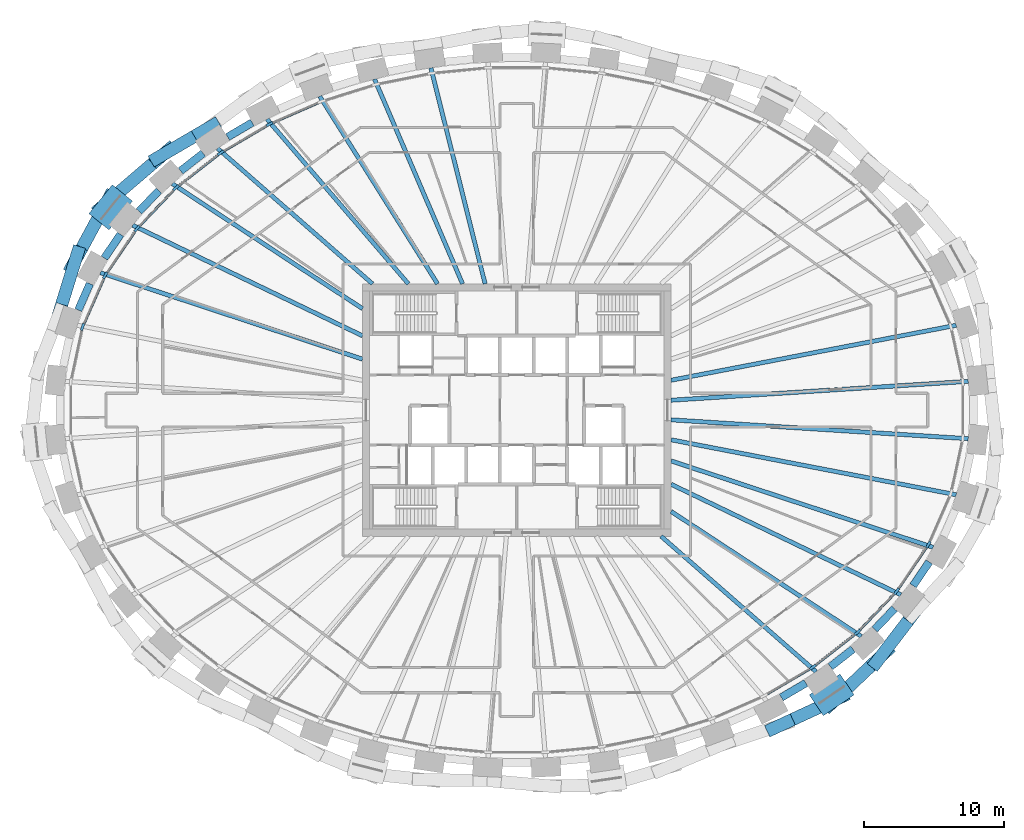
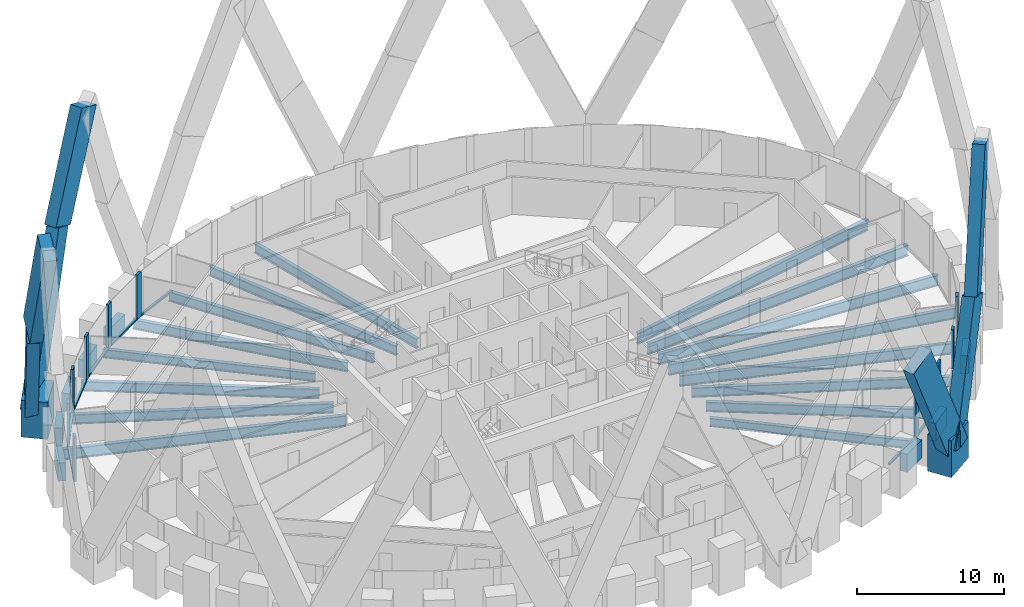
# One storey, part 3 of 14: 29 members, 25 beams, 1 element without a shape of its own.
"""IFC4 building model written with IfcOpenShell, lengths in metres."""

from ifc_helpers import new_model, si_unit, direction, frame, origin, origin_2d, place, context, subcontext, project, spatial, rectangle, i_section, extrude, source, transform, mapped, material, material_profile, profile_set, type_object, element, aggregate, save


model = new_model("IFC4")

# Units and contexts
model_context = context("Model", 3, precision=1e-05, world=origin(), true_north=direction((0.0, 1.0)))
body_context = subcontext(model_context, "Body", "Model", "MODEL_VIEW")
ifc_project = project(units=[si_unit("LENGTHUNIT", "METRE"), si_unit("AREAUNIT", "SQUARE_METRE"), si_unit("VOLUMEUNIT", "CUBIC_METRE"), si_unit("PLANEANGLEUNIT", "RADIAN"), si_unit("MASSUNIT", "GRAM", prefix="KILO")], contexts=[model_context])

# Site, building, storey
site_placement = place(None, origin())
site = spatial("IfcSite", under=ifc_project, at=site_placement, CompositionType="ELEMENT")
building_placement = place(site_placement, origin())
building = spatial("IfcBuilding", under=site, at=building_placement, Name="Embergate Tower", CompositionType="ELEMENT")
storey_placement = place(building_placement, frame((0.0, 0.0, 257.800048828125)))
storey = spatial("IfcBuildingStorey", under=building, at=storey_placement, Name="L59", CompositionType="ELEMENT", Elevation=257.800048828125)

# Beams
ifc_material_1 = material(Name="Concrete C60", Category="concrete")
ifc_material_profile_1 = material_profile(ifc_material_1, rectangle(XDim=0.550048828125, YDim=1.5, at=origin_2d()), Name="RC 550x1500")
ifc_profile_set_1 = profile_set([ifc_material_profile_1], Name="Concrete C60")
beam_type_1 = type_object("IfcBeamType", Name="Spandrel beam RC 550x1500 C60", PredefinedType="BEAM", material=ifc_profile_set_1)
shared_shape_1 = source(origin(), body_context, "Body", "SweptSolid", [
    extrude(rectangle(XDim=0.550048828125, YDim=1.5, at=origin_2d()), origin(), (0.0, 0.0, 1.0), 2.054443359375),
])
beam_1_placement = place(storey_placement, frame((-30.43896484375, 9.008056640625, 0.0), z_axis=(-0.402021652571, -0.915630160526, 0.0), x_axis=(0.915630160526, -0.402021652571, 0.0)))
element("IfcBeam", 1, at=beam_1_placement, inside=storey, type_object=beam_type_1, Name="SPN-L59-19", PredefinedType="BEAM", context=body_context, shape_type="MappedRepresentation", body=[
    mapped(shared_shape_1, transform((0.0, 0.0, 0.0))),
])
shared_shape_2 = source(origin(), body_context, "Body", "SweptSolid", [
    extrude(rectangle(XDim=0.550048828125, YDim=1.5, at=origin_2d()), origin(), (0.0, 0.0, 1.0), 2.046630859375),
])
for number, where, z_axis, x_axis, name in (
    (2, (-28.25390625, 12.528076171875, 0.0), (-0.562466632366, -0.826819984927, 0.0), (0.826819984927, -0.562466632366, 0.0), "SPN-L59-18"),
    (3, (28.25390625, -12.528076171875, 0.0), (0.562466632366, 0.826819984927, 0.0), (-0.826819984927, 0.562466632366, 0.0), "SPN-L59-40"),
):
    element("IfcBeam", number, at=place(storey_placement, frame(where, z_axis=z_axis, x_axis=x_axis)), inside=storey, type_object=beam_type_1, Name=name, PredefinedType="BEAM", context=body_context, shape_type="MappedRepresentation", body=[
        mapped(shared_shape_2, transform((0.0, 0.0, 0.0))),
    ])
shared_shape_3 = source(origin(), body_context, "Body", "SweptSolid", [
    extrude(rectangle(XDim=0.550048828125, YDim=1.5, at=origin_2d()), origin(), (0.0, 0.0, 1.0), 2.042724609375),
])
for number, where, z_axis, x_axis, name in (
    (4, (-25.52490234375, 15.638916015625, 0.0), (-0.690299494905, -0.723523743448, 0.0), (0.723523743448, -0.690299494905, 0.0), "SPN-L59-17"),
    (5, (25.52490234375, -15.638916015625, 0.0), (0.690299494905, 0.723523743448, 0.0), (-0.723523743448, 0.690299494905, 0.0), "SPN-L59-39"),
):
    element("IfcBeam", number, at=place(storey_placement, frame(where, z_axis=z_axis, x_axis=x_axis)), inside=storey, type_object=beam_type_1, Name=name, PredefinedType="BEAM", context=body_context, shape_type="MappedRepresentation", body=[
        mapped(shared_shape_3, transform((0.0, 0.0, 0.0))),
    ])
shared_shape_4 = source(origin(), body_context, "Body", "SweptSolid", [
    extrude(rectangle(XDim=0.550048828125, YDim=1.5, at=origin_2d()), origin(), (0.0, 0.0, 1.0), 2.038330078125),
])
for number, where, z_axis, x_axis, name in (
    (6, (-22.362060546875, 18.302978515625, 0.0), (-0.78838379352, -0.615183707615, 0.0), (0.615183707615, -0.78838379352, 0.0), "SPN-L59-16"),
    (7, (22.362060546875, -18.302978515625, 0.0), (0.78838379352, 0.615183707615, 0.0), (-0.615183707615, 0.78838379352, 0.0), "SPN-L59-38"),
):
    element("IfcBeam", number, at=place(storey_placement, frame(where, z_axis=z_axis, x_axis=x_axis)), inside=storey, type_object=beam_type_1, Name=name, PredefinedType="BEAM", context=body_context, shape_type="MappedRepresentation", body=[
        mapped(shared_shape_4, transform((0.0, 0.0, 0.0))),
    ])
shared_shape_5 = source(origin(), body_context, "Body", "SweptSolid", [
    extrude(rectangle(XDim=0.550048828125, YDim=1.5, at=origin_2d()), origin(), (0.0, 0.0, 1.0), 2.0322265625),
])
for number, where, z_axis, x_axis, name in (
    (8, (-18.862060546875, 20.4970703125, 0.0), (-0.862048455152, -0.50682586849, 0.0), (0.50682586849, -0.862048455152, 0.0), "SPN-L59-15"),
    (9, (18.862060546875, -20.4970703125, 0.0), (0.862048455152, 0.50682586849, 0.0), (-0.50682586849, 0.862048455152, 0.0), "SPN-L59-37"),
):
    element("IfcBeam", number, at=place(storey_placement, frame(where, z_axis=z_axis, x_axis=x_axis)), inside=storey, type_object=beam_type_1, Name=name, PredefinedType="BEAM", context=body_context, shape_type="MappedRepresentation", body=[
        mapped(shared_shape_5, transform((0.0, 0.0, 0.0))),
    ])
ifc_material_2 = material(Name="Steel Q355B", Category="steel")
ifc_material_profile_2 = material_profile(ifc_material_2, i_section(OverallWidth=0.300048828125, OverallDepth=0.89990234375, WebThickness=0.01611328125, FlangeThickness=0.028076171875, FilletRadius=0.028076171875, at=origin_2d()), Name="HN 900x300x16x28")
ifc_profile_set_2 = profile_set([ifc_material_profile_2], Name="Steel Q355 grade B")
beam_type_2 = type_object("IfcBeamType", Name="Radial girder HN 900x300x16x28", PredefinedType="BEAM", material=ifc_profile_set_2)
shared_shape_6 = source(origin(), body_context, "Body", "SweptSolid", [
    extrude(i_section(OverallWidth=0.300048828125, OverallDepth=0.89990234375, WebThickness=0.01611328125, FlangeThickness=0.028076171875, FilletRadius=0.028076171875, at=origin_2d()), origin(), (0.0, 0.0, 1.0), 21.233642578125),
])
for number, where, z_axis, x_axis, name in (
    (10, (32.19091796875, 2.044921875, -0.650146484375), (-0.99798898664, -0.063387558277, 0.0), (0.063387558277, -0.99798898664, 0.0), "GIR-L59-00"),
    (11, (32.19091796875, -2.044921875, -0.650146484375), (-0.99798898664, 0.063387558277, 0.0), (-0.063387558277, -0.99798898664, 0.0), "GIR-L59-43"),
):
    element("IfcBeam", number, at=place(storey_placement, frame(where, z_axis=z_axis, x_axis=x_axis)), inside=storey, type_object=beam_type_2, Name=name, PredefinedType="BEAM", context=body_context, shape_type="MappedRepresentation", body=[
        mapped(shared_shape_6, transform((0.0, 0.0, 0.0))),
    ])
shared_shape_7 = source(origin(), body_context, "Body", "SweptSolid", [
    extrude(i_section(OverallWidth=0.300048828125, OverallDepth=0.89990234375, WebThickness=0.01611328125, FlangeThickness=0.028076171875, FilletRadius=0.028076171875, at=origin_2d()), origin(), (0.0, 0.0, 1.0), 20.704833984375),
])
for number, where, z_axis, x_axis, name in (
    (12, (31.330078125, 6.0439453125, -0.650146484375), (-0.981896609236, -0.189417656965, 0.0), (0.189417656965, -0.981896609236, 0.0), "GIR-L59-01"),
    (13, (31.330078125, -6.0439453125, -0.650146484375), (-0.981896609236, 0.189417656965, 0.0), (-0.189417656965, -0.981896609236, 0.0), "GIR-L59-42"),
):
    element("IfcBeam", number, at=place(storey_placement, frame(where, z_axis=z_axis, x_axis=x_axis)), inside=storey, type_object=beam_type_2, Name=name, PredefinedType="BEAM", context=body_context, shape_type="MappedRepresentation", body=[
        mapped(shared_shape_7, transform((0.0, 0.0, 0.0))),
    ])
shared_shape_8 = source(origin(), body_context, "Body", "SweptSolid", [
    extrude(i_section(OverallWidth=0.300048828125, OverallDepth=0.89990234375, WebThickness=0.01611328125, FlangeThickness=0.028076171875, FilletRadius=0.028076171875, at=origin_2d()), origin(), (0.0, 0.0, 1.0), 19.67578125),
])
for number, where, z_axis, x_axis, name in (
    (14, (-29.68603515625, 9.7900390625, -0.650146484375), (0.949693396369, -0.313181182215, 0.0), (0.313181182215, 0.949693396369, 0.0), "GIR-L59-19"),
    (15, (29.68603515625, -9.7900390625, -0.650146484375), (-0.949693396369, 0.313181182215, 0.0), (-0.313181182215, -0.949693396369, 0.0), "GIR-L59-41"),
):
    element("IfcBeam", number, at=place(storey_placement, frame(where, z_axis=z_axis, x_axis=x_axis)), inside=storey, type_object=beam_type_2, Name=name, PredefinedType="BEAM", context=body_context, shape_type="MappedRepresentation", body=[
        mapped(shared_shape_8, transform((0.0, 0.0, 0.0))),
    ])
ifc_material_profile_3 = material_profile(ifc_material_2, i_section(OverallWidth=0.300048828125, OverallDepth=0.800048828125, WebThickness=0.013916015625, FlangeThickness=0.02587890625, FilletRadius=0.028076171875, at=origin_2d()), Name="HN 800x300x14x26")
ifc_profile_set_3 = profile_set([ifc_material_profile_3], Name="Steel Q355 grade B")
beam_type_3 = type_object("IfcBeamType", Name="Radial girder HN 800x300x14x26", PredefinedType="BEAM", material=ifc_profile_set_3)
shared_shape_9 = source(origin(), body_context, "Body", "SweptSolid", [
    extrude(i_section(OverallWidth=0.300048828125, OverallDepth=0.800048828125, WebThickness=0.013916015625, FlangeThickness=0.02587890625, FilletRadius=0.028076171875, at=origin_2d()), origin(), (0.0, 0.0, 1.0), 18.182373046875),
])
for number, where, z_axis, x_axis, name in (
    (16, (-27.385009765625, 13.174072265625, -0.60009765625), (0.901152068073, -0.433503114415, 0.0), (0.433503114415, 0.901152068073, 0.0), "GIR-L59-18"),
    (17, (27.385009765625, -13.174072265625, -0.60009765625), (-0.901152068073, 0.433503114415, 0.0), (-0.433503114415, -0.901152068073, 0.0), "GIR-L59-40"),
):
    element("IfcBeam", number, at=place(storey_placement, frame(where, z_axis=z_axis, x_axis=x_axis)), inside=storey, type_object=beam_type_3, Name=name, PredefinedType="BEAM", context=body_context, shape_type="MappedRepresentation", body=[
        mapped(shared_shape_9, transform((0.0, 0.0, 0.0))),
    ])
shared_shape_10 = source(origin(), body_context, "Body", "SweptSolid", [
    extrude(i_section(OverallWidth=0.300048828125, OverallDepth=0.800048828125, WebThickness=0.013916015625, FlangeThickness=0.02587890625, FilletRadius=0.028076171875, at=origin_2d()), origin(), (0.0, 0.0, 1.0), 16.224853515625),
])
for number, where, z_axis, x_axis, name in (
    (18, (-24.56005859375, 16.135986328125, -0.60009765625), (0.83576092079, -0.549093510506, 0.0), (0.549093510506, 0.83576092079, 0.0), "GIR-L59-17"),
    (19, (24.56005859375, -16.135986328125, -0.60009765625), (-0.83576092079, 0.549093510506, 0.0), (-0.549093510506, -0.83576092079, 0.0), "GIR-L59-39"),
):
    element("IfcBeam", number, at=place(storey_placement, frame(where, z_axis=z_axis, x_axis=x_axis)), inside=storey, type_object=beam_type_3, Name=name, PredefinedType="BEAM", context=body_context, shape_type="MappedRepresentation", body=[
        mapped(shared_shape_10, transform((0.0, 0.0, 0.0))),
    ])
ifc_material_profile_4 = material_profile(ifc_material_2, i_section(OverallWidth=0.300048828125, OverallDepth=0.699951171875, WebThickness=0.012939453125, FlangeThickness=0.02392578125, FilletRadius=0.01806640625, at=origin_2d()), Name="HN 700x300x13x24")
ifc_profile_set_4 = profile_set([ifc_material_profile_4], Name="Steel Q355 grade B")
beam_type_4 = type_object("IfcBeamType", Name="Radial girder HN 700x300x13x24", PredefinedType="BEAM", material=ifc_profile_set_4)
shared_shape_11 = source(origin(), body_context, "Body", "SweptSolid", [
    extrude(i_section(OverallWidth=0.300048828125, OverallDepth=0.699951171875, WebThickness=0.012939453125, FlangeThickness=0.02392578125, FilletRadius=0.01806640625, at=origin_2d()), origin(), (0.0, 0.0, 1.0), 14.66845703125),
])
for number, where, z_axis, x_axis, name in (
    (20, (-21.3330078125, 18.656005859375, -0.550048828125), (0.752770497305, -0.658283053395, 0.0), (0.658283053395, 0.752770497305, 0.0), "GIR-L59-16"),
    (21, (21.3330078125, -18.656005859375, -0.550048828125), (-0.752770497305, 0.658283053395, 0.0), (-0.658283053395, -0.752770497305, 0.0), "GIR-L59-38"),
):
    element("IfcBeam", number, at=place(storey_placement, frame(where, z_axis=z_axis, x_axis=x_axis)), inside=storey, type_object=beam_type_4, Name=name, PredefinedType="BEAM", context=body_context, shape_type="MappedRepresentation", body=[
        mapped(shared_shape_11, transform((0.0, 0.0, 0.0))),
    ])
shared_shape_12 = source(origin(), body_context, "Body", "SweptSolid", [
    extrude(i_section(OverallWidth=0.300048828125, OverallDepth=0.800048828125, WebThickness=0.013916015625, FlangeThickness=0.02587890625, FilletRadius=0.028076171875, at=origin_2d()), origin(), (0.0, 0.0, 1.0), 15.462890625),
])
beam_2_placement = place(storey_placement, frame((-17.802978515625, 20.73095703125, -0.60009765625), z_axis=(0.651494533004, -0.75865332891, 0.0), x_axis=(0.75865332891, 0.651494533004, 0.0)))
element("IfcBeam", 22, at=beam_2_placement, inside=storey, type_object=beam_type_3, Name="GIR-L59-15", PredefinedType="BEAM", context=body_context, shape_type="MappedRepresentation", body=[
    mapped(shared_shape_12, transform((0.0, 0.0, 0.0))),
])
shared_shape_13 = source(origin(), body_context, "Body", "SweptSolid", [
    extrude(i_section(OverallWidth=0.300048828125, OverallDepth=0.800048828125, WebThickness=0.013916015625, FlangeThickness=0.02587890625, FilletRadius=0.028076171875, at=origin_2d()), origin(), (0.0, 0.0, 1.0), 15.791015625),
])
beam_3_placement = place(storey_placement, frame((-14.051025390625, 22.3720703125, -0.60009765625), z_axis=(0.531882110567, -0.846818410557, 0.0), x_axis=(0.846818410557, 0.531882110567, 0.0)))
element("IfcBeam", 23, at=beam_3_placement, inside=storey, type_object=beam_type_3, Name="GIR-L59-14", PredefinedType="BEAM", context=body_context, shape_type="MappedRepresentation", body=[
    mapped(shared_shape_13, transform((0.0, 0.0, 0.0))),
])
shared_shape_14 = source(origin(), body_context, "Body", "SweptSolid", [
    extrude(i_section(OverallWidth=0.300048828125, OverallDepth=0.800048828125, WebThickness=0.013916015625, FlangeThickness=0.02587890625, FilletRadius=0.028076171875, at=origin_2d()), origin(), (0.0, 0.0, 1.0), 15.881103515625),
])
beam_4_placement = place(storey_placement, frame((-10.14111328125, 23.590087890625, -0.60009765625), z_axis=(0.394946920714, -0.918703940243, 0.0), x_axis=(0.918703940243, 0.394946920714, 0.0)))
element("IfcBeam", 24, at=beam_4_placement, inside=storey, type_object=beam_type_3, Name="GIR-L59-13", PredefinedType="BEAM", context=body_context, shape_type="MappedRepresentation", body=[
    mapped(shared_shape_14, transform((0.0, 0.0, 0.0))),
])
shared_shape_15 = source(origin(), body_context, "Body", "SweptSolid", [
    extrude(i_section(OverallWidth=0.300048828125, OverallDepth=0.800048828125, WebThickness=0.013916015625, FlangeThickness=0.02587890625, FilletRadius=0.028076171875, at=origin_2d()), origin(), (0.0, 0.0, 1.0), 15.872802734375),
])
beam_5_placement = place(storey_placement, frame((-6.1240234375, 24.39501953125, -0.60009765625), z_axis=(0.243498181484, -0.969901353548, 0.0), x_axis=(0.969901353548, 0.243498181484, 0.0)))
element("IfcBeam", 25, at=beam_5_placement, inside=storey, type_object=beam_type_3, Name="GIR-L59-12", PredefinedType="BEAM", context=body_context, shape_type="MappedRepresentation", body=[
    mapped(shared_shape_15, transform((0.0, 0.0, 0.0))),
])

# Members
ifc_material_3 = material(Name="Concrete C70", Category="concrete")
ifc_material_profile_5 = material_profile(ifc_material_3, rectangle(XDim=1.85009765625, YDim=2.64990234375, at=origin_2d()), Name="RC 1850x2650")
ifc_profile_set_5 = profile_set([ifc_material_profile_5], Name="Concrete C70")
member_type_1 = type_object("IfcMemberType", Name="Lattice node block RC 1850x2650", PredefinedType="POST", material=ifc_profile_set_5)
shared_shape_16 = source(origin(), body_context, "Body", "SweptSolid", [
    extrude(rectangle(XDim=1.85009765625, YDim=2.64990234375, at=origin_2d()), origin(), (0.0, 0.0, 1.0), 3.050048828125),
])
member_1_placement = place(storey_placement, frame((-28.95703125, 14.451904296875, -1.525146484375), z_axis=(0.0, 0.0, 1.0), x_axis=(-0.775914301615, 0.630838328377, 0.0)))
element("IfcMember", 26, at=member_1_placement, inside=storey, type_object=member_type_1, Name="NOD-L59-18", PredefinedType="POST", context=body_context, shape_type="MappedRepresentation", body=[
    mapped(shared_shape_16, transform((0.0, 0.0, 0.0))),
])
ifc_material_profile_6 = material_profile(ifc_material_3, rectangle(XDim=1.800048828125, YDim=2.64990234375, at=origin_2d()), Name="RC 1800x2650")
ifc_profile_set_6 = profile_set([ifc_material_profile_6], Name="Concrete C70")
member_type_2 = type_object("IfcMemberType", Name="Lattice node block RC 1800x2650", PredefinedType="POST", material=ifc_profile_set_6)
shared_shape_17 = source(origin(), body_context, "Body", "SweptSolid", [
    extrude(rectangle(XDim=1.800048828125, YDim=2.64990234375, at=origin_2d()), origin(), (0.0, 0.0, 1.0), 3.050048828125),
])
member_2_placement = place(storey_placement, frame((22.4541015625, -20.31201171875, -1.525146484375), z_axis=(0.0, 0.0, 1.0), x_axis=(0.560393279442, -0.828226643109, 0.0)))
element("IfcMember", 27, at=member_2_placement, inside=storey, type_object=member_type_2, Name="NOD-L59-38", PredefinedType="POST", context=body_context, shape_type="MappedRepresentation", body=[
    mapped(shared_shape_17, transform((0.0, 0.0, 0.0))),
])
ifc_material_profile_7 = material_profile(ifc_material_3, rectangle(XDim=0.89990234375, YDim=2.199951171875, at=origin_2d()), Name="RC 900x2200")
ifc_profile_set_7 = profile_set([ifc_material_profile_7], Name="Concrete C70")
member_type_3 = type_object("IfcMemberType", Name="Lattice diagonal terracotta-faced RC 900x2200", PredefinedType="BRACE", material=ifc_profile_set_7)
shared_shape_18 = source(origin(), body_context, "Body", "SweptSolid", [
    extrude(rectangle(XDim=0.89990234375, YDim=2.199951171875, at=origin_2d()), origin(), (0.0, 0.0, 1.0), 12.8759765625),
])
member_3_placement = place(storey_placement, frame((-29.29296875, 14.72509765625, 0.0), z_axis=(0.317180546388, 0.271503362251, 0.908670691329), x_axis=(-0.650286330203, 0.759689205367, 0.0)))
element("IfcMember", 28, at=member_3_placement, inside=storey, type_object=member_type_3, Name="BRC-L59-18-16-S00", PredefinedType="BRACE", context=body_context, shape_type="MappedRepresentation", body=[
    mapped(shared_shape_18, transform((0.0, 0.0, 0.0))),
])
shared_shape_19 = source(origin(), body_context, "Body", "SweptSolid", [
    extrude(rectangle(XDim=0.89990234375, YDim=2.199951171875, at=origin_2d()), origin(), (0.0, 0.0, 1.0), 8.580078125),
])
member_4_placement = place(storey_placement, frame((-25.208984375, 18.220947265625, 11.699951171875), z_axis=(0.359886379414, 0.20990526731, 0.909077319411), x_axis=(-0.503820067998, 0.863808624107, 0.0)))
element("IfcMember", 29, at=member_4_placement, inside=storey, type_object=member_type_3, Name="BRC-L59-18-16-S01", PredefinedType="BRACE", context=body_context, shape_type="MappedRepresentation", body=[
    mapped(shared_shape_19, transform((0.0, 0.0, 0.0))),
])
shared_shape_20 = source(origin(), body_context, "Body", "SweptSolid", [
    extrude(rectangle(XDim=0.89990234375, YDim=2.199951171875, at=origin_2d()), origin(), (0.0, 0.0, 1.0), 10.772216796875),
])
member_5_placement = place(storey_placement, frame((-29.29296875, 14.72509765625, 0.0), z_axis=(-0.2021859327, -0.374024711058, 0.905111244067), x_axis=(0.87969626816, -0.475535987897, 0.0)))
element("IfcMember", 30, at=member_5_placement, inside=storey, type_object=member_type_3, Name="BRC-L59-18-20-S00", PredefinedType="BRACE", context=body_context, shape_type="MappedRepresentation", body=[
    mapped(shared_shape_20, transform((0.0, 0.0, 0.0))),
])
shared_shape_21 = source(origin(), body_context, "Body", "SweptSolid", [
    extrude(rectangle(XDim=0.89990234375, YDim=2.199951171875, at=origin_2d()), origin(), (0.0, 0.0, 1.0), 10.663818359375),
])
member_6_placement = place(storey_placement, frame((-31.470947265625, 10.696044921875, 9.75), z_axis=(-0.119372114003, -0.38700924724, 0.914316214966), x_axis=(0.955575885923, -0.294745188666, 0.0)))
element("IfcMember", 31, at=member_6_placement, inside=storey, type_object=member_type_3, Name="BRC-L59-18-20-S01", PredefinedType="BRACE", context=body_context, shape_type="MappedRepresentation", body=[
    mapped(shared_shape_21, transform((0.0, 0.0, 0.0))),
])
shared_shape_22 = source(origin(), body_context, "Body", "SweptSolid", [
    extrude(rectangle(XDim=0.89990234375, YDim=2.199951171875, at=origin_2d()), origin(), (0.0, 0.0, 1.0), 10.66796875),
])
member_7_placement = place(storey_placement, frame((22.69189453125, -20.6640625, 0.0), z_axis=(-0.368114652367, -0.17079512904, 0.913958766361), x_axis=(0.420877663523, -0.907117408249, 0.0)))
element("IfcMember", 32, at=member_7_placement, inside=storey, type_object=member_type_3, Name="BRC-L59-38-36-S00", PredefinedType="BRACE", context=body_context, shape_type="MappedRepresentation", body=[
    mapped(shared_shape_22, transform((0.0, 0.0, 0.0))),
])
shared_shape_23 = source(origin(), body_context, "Body", "SweptSolid", [
    extrude(rectangle(XDim=0.89990234375, YDim=2.199951171875, at=origin_2d()), origin(), (0.0, 0.0, 1.0), 10.73974609375),
])
member_8_placement = place(storey_placement, frame((22.69189453125, -20.6640625, 0.0), z_axis=(0.304388092824, 0.288384417144, 0.907844874907), x_axis=(-0.687765700276, 0.72593273898, 0.0)))
element("IfcMember", 33, at=member_8_placement, inside=storey, type_object=member_type_3, Name="BRC-L59-38-40-S00", PredefinedType="BRACE", context=body_context, shape_type="MappedRepresentation", body=[
    mapped(shared_shape_23, transform((0.0, 0.0, 0.0))),
])
shared_shape_24 = source(origin(), body_context, "Body", "SweptSolid", [
    extrude(rectangle(XDim=0.89990234375, YDim=2.199951171875, at=origin_2d()), origin(), (0.0, 0.0, 1.0), 10.61572265625),
])
member_9_placement = place(storey_placement, frame((25.9609375, -17.56689453125, 9.75), z_axis=(0.240214170492, 0.314244751135, 0.918448359288), x_axis=(-0.794468393416, 0.607305501261, 0.0)))
element("IfcMember", 34, at=member_9_placement, inside=storey, type_object=member_type_3, Name="BRC-L59-38-40-S01", PredefinedType="BRACE", context=body_context, shape_type="MappedRepresentation", body=[
    mapped(shared_shape_24, transform((0.0, 0.0, 0.0))),
])

# Curtain wall, members
ifc_material_4 = material(Name="Aluminium and glass", Category="aluminium")
curtain_wall_type = type_object("IfcCurtainWallType", Name="Recessed office glazing", PredefinedType="NOTDEFINED", material=ifc_material_4)
curtain_wall_placement = place(storey_placement, origin())
curtain_wall = element("IfcCurtainWall", 35, at=curtain_wall_placement, inside=storey, type_object=curtain_wall_type, Name="Recessed office glazing ring", ObjectType="RECESSED OFFICE GLAZING", PredefinedType="USERDEFINED")
ifc_material_5 = material(Name="Aluminium, thermally broken", Category="aluminium")
ifc_material_profile_8 = material_profile(ifc_material_5, rectangle(XDim=0.179931640625, YDim=0.52001953125, at=origin_2d()), Name="AL 520x180")
ifc_profile_set_8 = profile_set([ifc_material_profile_8], Name="Aluminium, thermally broken")
member_type_4 = type_object("IfcMemberType", Name="Office mullion", PredefinedType="MULLION", material=ifc_profile_set_8)
shared_shape_25 = source(origin(), body_context, "Body", "SweptSolid", [
    extrude(rectangle(XDim=0.179931640625, YDim=0.52001953125, at=origin_2d()), origin(), (0.0, 0.0, 1.0), 3.699951171875),
])
member_10_placement = place(storey_placement, frame((-17.626220703125, 20.383544921875, 0.0), z_axis=(0.0, 0.0, 1.0), x_axis=(0.45450516197, -0.8907441034, 0.0)))
member_10 = element("IfcMember", 36, at=member_10_placement, type_object=member_type_4, Name="CW mullion 16", PredefinedType="MULLION", context=body_context, shape_type="MappedRepresentation", body=[
    mapped(shared_shape_25, transform((0.0, 0.0, 0.0))),
])
member_11_placement = place(storey_placement, frame((-21.1142578125, 18.3330078125, 0.0), z_axis=(0.0, 0.0, 1.0), x_axis=(0.562208958301, -0.826995215951, 0.0)))
member_11 = element("IfcMember", 37, at=member_11_placement, type_object=member_type_4, Name="CW mullion 17", PredefinedType="MULLION", context=body_context, shape_type="MappedRepresentation", body=[
    mapped(shared_shape_25, transform((0.0, 0.0, 0.0))),
])
member_12_placement = place(storey_placement, frame((-24.299560546875, 15.846923828125, 0.0), z_axis=(0.0, 0.0, 1.0), x_axis=(0.671217477801, -0.741260478843, 0.0)))
member_12 = element("IfcMember", 38, at=member_12_placement, type_object=member_type_4, Name="CW mullion 18", PredefinedType="MULLION", context=body_context, shape_type="MappedRepresentation", body=[
    mapped(shared_shape_25, transform((0.0, 0.0, 0.0))),
])
member_13_placement = place(storey_placement, frame((-27.0830078125, 12.92822265625, 0.0), z_axis=(0.0, 0.0, 1.0), x_axis=(0.777863789852, -0.628432911643, 0.0)))
member_13 = element("IfcMember", 39, at=member_13_placement, type_object=member_type_4, Name="CW mullion 19", PredefinedType="MULLION", context=body_context, shape_type="MappedRepresentation", body=[
    mapped(shared_shape_25, transform((0.0, 0.0, 0.0))),
])
member_14_placement = place(storey_placement, frame((-29.34619140625, 9.600341796875, 0.0), z_axis=(0.0, 0.0, 1.0), x_axis=(0.874994291193, -0.484133236186, 0.0)))
member_14 = element("IfcMember", 40, at=member_14_placement, type_object=member_type_4, Name="CW mullion 20", PredefinedType="MULLION", context=body_context, shape_type="MappedRepresentation", body=[
    mapped(shared_shape_25, transform((0.0, 0.0, 0.0))),
])
member_15_placement = place(storey_placement, frame((-30.958984375, 5.922607421875, 0.0), z_axis=(0.0, 0.0, 1.0), x_axis=(0.9514940392, -0.307667179542, 0.0)))
member_15 = element("IfcMember", 41, at=member_15_placement, type_object=member_type_4, Name="CW mullion 21", PredefinedType="MULLION", context=body_context, shape_type="MappedRepresentation", body=[
    mapped(shared_shape_25, transform((0.0, 0.0, 0.0))),
])
member_16_placement = place(storey_placement, frame((21.1142578125, -18.3330078125, 0.0), z_axis=(0.0, 0.0, 1.0), x_axis=(-0.562208958301, 0.826995215951, 0.0)))
member_16 = element("IfcMember", 42, at=member_16_placement, type_object=member_type_4, Name="CW mullion 39", PredefinedType="MULLION", context=body_context, shape_type="MappedRepresentation", body=[
    mapped(shared_shape_25, transform((0.0, 0.0, 0.0))),
])
member_17_placement = place(storey_placement, frame((24.299560546875, -15.846923828125, 0.0), z_axis=(0.0, 0.0, 1.0), x_axis=(-0.671217477801, 0.741260478843, 0.0)))
member_17 = element("IfcMember", 43, at=member_17_placement, type_object=member_type_4, Name="CW mullion 40", PredefinedType="MULLION", context=body_context, shape_type="MappedRepresentation", body=[
    mapped(shared_shape_25, transform((0.0, 0.0, 0.0))),
])
member_18_placement = place(storey_placement, frame((27.0830078125, -12.92822265625, 0.0), z_axis=(0.0, 0.0, 1.0), x_axis=(-0.777863789852, 0.628432911643, 0.0)))
member_18 = element("IfcMember", 44, at=member_18_placement, type_object=member_type_4, Name="CW mullion 41", PredefinedType="MULLION", context=body_context, shape_type="MappedRepresentation", body=[
    mapped(shared_shape_25, transform((0.0, 0.0, 0.0))),
])
member_19_placement = place(storey_placement, frame((29.34619140625, -9.600341796875, 0.0), z_axis=(0.0, 0.0, 1.0), x_axis=(-0.874994291193, 0.484133236186, 0.0)))
member_19 = element("IfcMember", 45, at=member_19_placement, type_object=member_type_4, Name="CW mullion 42", PredefinedType="MULLION", context=body_context, shape_type="MappedRepresentation", body=[
    mapped(shared_shape_25, transform((0.0, 0.0, 0.0))),
])
ifc_material_profile_9 = material_profile(ifc_material_5, rectangle(XDim=0.179931640625, YDim=0.14990234375, at=origin_2d()), Name="AL 150x180")
ifc_profile_set_9 = profile_set([ifc_material_profile_9], Name="Aluminium, thermally broken")
member_type_5 = type_object("IfcMemberType", Name="Office sill transom", PredefinedType="USERDEFINED", material=ifc_profile_set_9)
shared_shape_26 = source(origin(), body_context, "Body", "SweptSolid", [
    extrude(rectangle(XDim=0.179931640625, YDim=0.14990234375, at=origin_2d()), origin(), (0.0, 0.0, 1.0), 3.49609375),
])
member_20_placement = place(storey_placement, frame((-29.450439453125, 9.3623046875, 0.074951171875), z_axis=(-0.401675879714, -0.915781899612, 0.0), x_axis=(0.915781899612, -0.401675879714, 0.0)))
member_20 = element("IfcMember", 46, at=member_20_placement, type_object=member_type_5, Name="CW transom 20.1", ObjectType="TRANSOM", PredefinedType="USERDEFINED", context=body_context, shape_type="MappedRepresentation", body=[
    mapped(shared_shape_26, transform((0.0, 0.0, 0.0))),
])
shared_shape_27 = source(origin(), body_context, "Body", "SweptSolid", [
    extrude(rectangle(XDim=0.179931640625, YDim=0.14990234375, at=origin_2d()), origin(), (0.0, 0.0, 1.0), 3.504638671875),
])
member_21_placement = place(storey_placement, frame((-27.22900390625, 12.71337890625, 0.074951171875), z_axis=(-0.562376708583, -0.826881150858, 0.0), x_axis=(0.826881150858, -0.562376708583, 0.0)))
member_21 = element("IfcMember", 47, at=member_21_placement, type_object=member_type_5, Name="CW transom 19.1", ObjectType="TRANSOM", PredefinedType="USERDEFINED", context=body_context, shape_type="MappedRepresentation", body=[
    mapped(shared_shape_27, transform((0.0, 0.0, 0.0))),
])
member_22_placement = place(storey_placement, frame((27.22900390625, -12.71337890625, 0.074951171875), z_axis=(0.562376708583, 0.826881150858, 0.0), x_axis=(-0.826881150858, 0.562376708583, 0.0)))
member_22 = element("IfcMember", 48, at=member_22_placement, type_object=member_type_5, Name="CW transom 41.1", ObjectType="TRANSOM", PredefinedType="USERDEFINED", context=body_context, shape_type="MappedRepresentation", body=[
    mapped(shared_shape_27, transform((0.0, 0.0, 0.0))),
])
shared_shape_28 = source(origin(), body_context, "Body", "SweptSolid", [
    extrude(rectangle(XDim=0.179931640625, YDim=0.14990234375, at=origin_2d()), origin(), (0.0, 0.0, 1.0), 3.512939453125),
])
member_23_placement = place(storey_placement, frame((-24.47900390625, 15.65869140625, 0.074951171875), z_axis=(-0.690159983448, -0.723656822842, 0.0), x_axis=(0.723656822842, -0.690159983448, 0.0)))
member_23 = element("IfcMember", 49, at=member_23_placement, type_object=member_type_5, Name="CW transom 18.1", ObjectType="TRANSOM", PredefinedType="USERDEFINED", context=body_context, shape_type="MappedRepresentation", body=[
    mapped(shared_shape_28, transform((0.0, 0.0, 0.0))),
])
member_24_placement = place(storey_placement, frame((24.47900390625, -15.65869140625, 0.074951171875), z_axis=(0.690159983448, 0.723656822842, 0.0), x_axis=(-0.723656822842, 0.690159983448, 0.0)))
member_24 = element("IfcMember", 50, at=member_24_placement, type_object=member_type_5, Name="CW transom 40.1", ObjectType="TRANSOM", PredefinedType="USERDEFINED", context=body_context, shape_type="MappedRepresentation", body=[
    mapped(shared_shape_28, transform((0.0, 0.0, 0.0))),
])
shared_shape_29 = source(origin(), body_context, "Body", "SweptSolid", [
    extrude(rectangle(XDim=0.179931640625, YDim=0.14990234375, at=origin_2d()), origin(), (0.0, 0.0, 1.0), 3.520263671875),
])
member_25_placement = place(storey_placement, frame((-21.3193359375, 18.1728515625, 0.074951171875), z_axis=(-0.788309220122, -0.615279264619, 0.0), x_axis=(0.615279264619, -0.788309220122, 0.0)))
member_25 = element("IfcMember", 51, at=member_25_placement, type_object=member_type_5, Name="CW transom 17.1", ObjectType="TRANSOM", PredefinedType="USERDEFINED", context=body_context, shape_type="MappedRepresentation", body=[
    mapped(shared_shape_29, transform((0.0, 0.0, 0.0))),
])
member_26_placement = place(storey_placement, frame((21.3193359375, -18.1728515625, 0.074951171875), z_axis=(0.788309220122, 0.615279264619, 0.0), x_axis=(-0.615279264619, 0.788309220122, 0.0)))
member_26 = element("IfcMember", 52, at=member_26_placement, type_object=member_type_5, Name="CW transom 39.1", ObjectType="TRANSOM", PredefinedType="USERDEFINED", context=body_context, shape_type="MappedRepresentation", body=[
    mapped(shared_shape_29, transform((0.0, 0.0, 0.0))),
])
shared_shape_30 = source(origin(), body_context, "Body", "SweptSolid", [
    extrude(rectangle(XDim=0.179931640625, YDim=0.14990234375, at=origin_2d()), origin(), (0.0, 0.0, 1.0), 3.526123046875),
])
member_27_placement = place(storey_placement, frame((-17.850341796875, 20.251708984375, 0.074951171875), z_axis=(-0.862058778532, -0.506808309281, 0.0), x_axis=(0.506808309281, -0.862058778532, 0.0)))
member_27 = element("IfcMember", 53, at=member_27_placement, type_object=member_type_5, Name="CW transom 16.1", ObjectType="TRANSOM", PredefinedType="USERDEFINED", context=body_context, shape_type="MappedRepresentation", body=[
    mapped(shared_shape_30, transform((0.0, 0.0, 0.0))),
])
member_28_placement = place(storey_placement, frame((17.850341796875, -20.251708984375, 0.074951171875), z_axis=(0.862058778532, 0.506808309281, 0.0), x_axis=(-0.506808309281, 0.862058778532, 0.0)))
member_28 = element("IfcMember", 54, at=member_28_placement, type_object=member_type_5, Name="CW transom 38.1", ObjectType="TRANSOM", PredefinedType="USERDEFINED", context=body_context, shape_type="MappedRepresentation", body=[
    mapped(shared_shape_30, transform((0.0, 0.0, 0.0))),
])
shared_shape_31 = source(origin(), body_context, "Body", "SweptSolid", [
    extrude(rectangle(XDim=0.179931640625, YDim=0.14990234375, at=origin_2d()), origin(), (0.0, 0.0, 1.0), 3.53076171875),
])
member_29_placement = place(storey_placement, frame((-14.15283203125, 21.90234375, 0.074951171875), z_axis=(-0.916241422351, -0.400626579209, 0.0), x_axis=(0.400626579209, -0.916241422351, 0.0)))
member_29 = element("IfcMember", 55, at=member_29_placement, type_object=member_type_5, Name="CW transom 15.1", ObjectType="TRANSOM", PredefinedType="USERDEFINED", context=body_context, shape_type="MappedRepresentation", body=[
    mapped(shared_shape_31, transform((0.0, 0.0, 0.0))),
])
aggregate(curtain_wall, [member_10, member_11, member_12, member_13, member_14, member_15, member_16, member_17, member_18, member_19, member_29, member_27, member_25, member_23, member_21, member_20, member_28, member_26, member_24, member_22])

save(model, "model.ifc")
